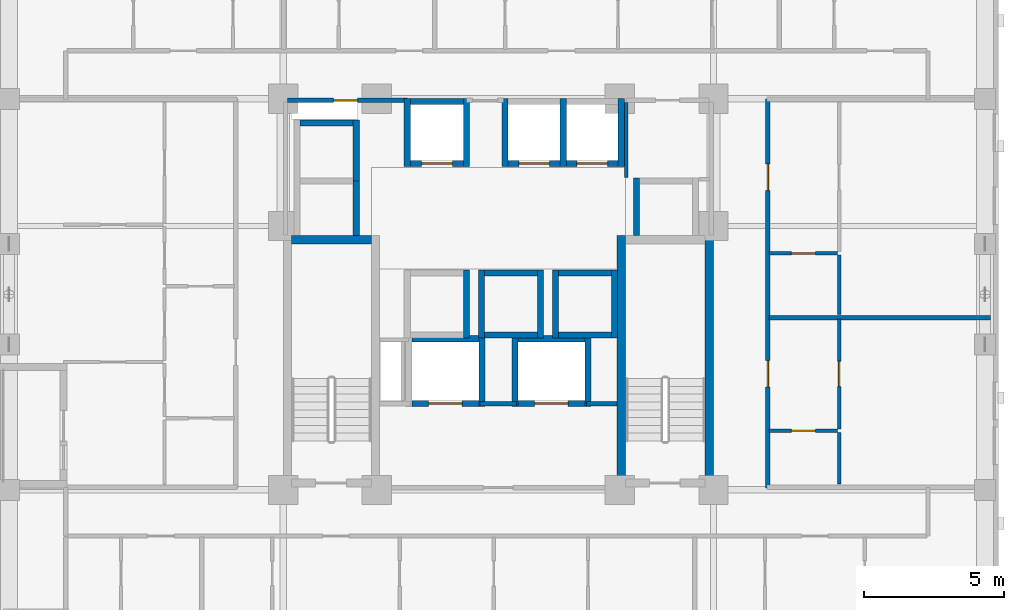
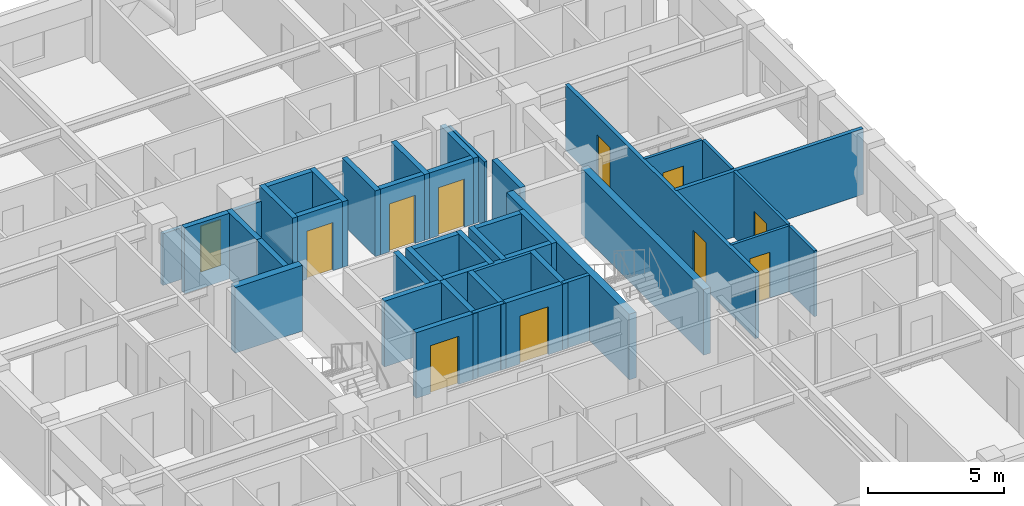
# One storey, part 5 of 12: 43 walls, 11 doors, 11 openings.
"""IFC4 building model written with IfcOpenShell, lengths in metres."""

from ifc_helpers import new_model, si_unit, derived_unit, direction, frame, frame_2d, origin, place, context, subcontext, project, spatial, rectangle, extrude, material, layer, layer_set, type_object, element, fill, save


model = new_model("IFC4")

# Units and contexts
model_context = context("Model", 3, precision=1e-05, world=origin(), true_north=direction((0.0, 1.0)))
body_context = subcontext(model_context, "Body", "Model", "MODEL_VIEW")
ifc_project = project(units=[si_unit("LENGTHUNIT", "METRE"), si_unit("AREAUNIT", "SQUARE_METRE"), si_unit("VOLUMEUNIT", "CUBIC_METRE"), si_unit("PLANEANGLEUNIT", "RADIAN"), si_unit("MASSUNIT", "GRAM", prefix="KILO"), derived_unit("THERMALTRANSMITTANCEUNIT", [(si_unit("MASSUNIT", "GRAM", prefix="KILO"), 1), (si_unit("TIMEUNIT", "SECOND"), -3), (si_unit("THERMODYNAMICTEMPERATUREUNIT", "KELVIN"), -1)])], contexts=[model_context])

# Site, building, storey
site_placement = place(None, origin())
site = spatial("IfcSite", under=ifc_project, at=site_placement, CompositionType="ELEMENT")
building_placement = place(site_placement, origin())
building = spatial("IfcBuilding", under=site, at=building_placement, Name="Korrvale Station Residences", CompositionType="ELEMENT")
storey_placement = place(building_placement, frame((0.0, 0.0, 107.10009765625)))
storey = spatial("IfcBuildingStorey", under=building, at=storey_placement, Name="L30", CompositionType="ELEMENT", Elevation=107.10009765625)

# Walls
ifc_material_1 = material(Name="Concrete C60/75", Category="concrete")
ifc_layer_1 = layer(ifc_material_1, 0.300048828125, Name="Concrete C60/75")
ifc_layer_set_1 = layer_set([ifc_layer_1], Name="Concrete C60/75")
wall_type_1 = type_object("IfcWallType", Name="WAL-CORE-300-C60", PredefinedType="SHEAR", material=ifc_layer_set_1)
wall_1_placement = place(storey_placement, frame((18.10009765625, 23.949951171875, 0.0), z_axis=(0.0, 0.0, 1.0), x_axis=(1.0, 0.0, 0.0)))
element("IfcWall", 1, at=wall_1_placement, inside=storey, type_object=wall_type_1, Name="L30 ST-1 Core Shear Wall North", PredefinedType="SHEAR", context=body_context, shape_type="SweptSolid", body=[
    extrude(rectangle(XDim=2.849853515625, YDim=0.300048828125, at=frame_2d((1.4248046875, 0.0))), origin(), (0.0, 0.0, 1.0), 2.93994140625),
])
for number, where, z_axis, x_axis, name in (
    (2, (29.89990234375, 15.10009765625, 0.0), (0.0, 0.0, 1.0), (0.0, 1.0, 0.0), "L30 ST-2 Core Shear Wall West"),
    (3, (33.050048828125, 15.10009765625, 0.0), (0.0, 0.0, 1.0), (0.0, 1.0, 0.0), "L30 ST-2 Core Shear Wall East"),
):
    element("IfcWall", number, at=place(storey_placement, frame(where, z_axis=z_axis, x_axis=x_axis)), inside=storey, type_object=wall_type_1, Name=name, PredefinedType="SHEAR", context=body_context, shape_type="SweptSolid", body=[
        extrude(rectangle(XDim=9.0, YDim=0.300048828125, at=frame_2d((4.5, 0.0))), origin(), (0.0, 0.0, 1.0), 2.93994140625),
    ])
ifc_material_2 = material(Name="Acoustic steel-stud gypsum board partition", Category="steel")
ifc_layer_2 = layer(ifc_material_2, 0.1201171875, Name="Acoustic steel-stud gypsum board partition")
ifc_layer_set_2 = layer_set([ifc_layer_2], Name="Acoustic steel-stud gypsum board partition")
wall_type_2 = type_object("IfcWallType", Name="WAL-PART-125", PredefinedType="PARTITIONING", material=ifc_layer_set_2)
wall_2_placement = place(storey_placement, frame((30.080078125, 26.179931640625, 0.0), z_axis=(0.0, 0.0, 1.0), x_axis=(0.0, 1.0, 0.0)))
element("IfcWall", 4, at=wall_2_placement, inside=storey, type_object=wall_type_2, Name="L30 Core Partition CW-CS-W", PredefinedType="PARTITIONING", context=body_context, shape_type="SweptSolid", body=[
    extrude(rectangle(XDim=2.68017578125, YDim=0.1201171875, at=frame_2d((1.340087890625, 0.0))), origin(), (0.0, 0.0, 1.0), 2.93994140625),
])

# Wall, opening, door
wall_3_placement = place(storey_placement, frame((35.18994140625, 17.1201171875, 0.0), z_axis=(0.0, 0.0, 1.0), x_axis=(1.0, 0.0, 0.0)))
wall_3 = element("IfcWall", 5, at=wall_3_placement, inside=storey, type_object=wall_type_2, Name="L30 Suite Partition U09-H01", PredefinedType="PARTITIONING", context=body_context, shape_type="SweptSolid", body=[
    extrude(rectangle(XDim=2.449951171875, YDim=0.1201171875, at=frame_2d((1.22509765625, 0.0))), origin(), (0.0, 0.0, 1.0), 2.93994140625),
])
opening_1_placement = place(wall_3_placement, frame((0.794921875, 0.0, 0.0)))
opening_1 = element("IfcOpeningElement", 6, at=opening_1_placement, cuts=wall_3, Name="Opening DB-860", PredefinedType="OPENING", context=body_context, shape_type="SweptSolid", body=[
    extrude(rectangle(XDim=0.860107421875, YDim=2.050048828125, at=frame_2d((0.43017578125, 1.02490234375))), frame((0.0, 0.070068359375, 0.0), z_axis=(0.0, -1.0, 0.0), x_axis=(1.0, 0.0, 0.0)), (0.0, 0.0, 1.0), 0.14013671875),
])
ifc_material_3 = material(Name="Moisture-resistant solid-core bathroom door", Category="timber")
door_type_1 = type_object("IfcDoorType", Name="DR-BATH-860", OperationType="NOTDEFINED", PredefinedType="DOOR", material=ifc_material_3)
door_1_placement = place(opening_1_placement, origin())
door_1 = element("IfcDoor", 7, at=door_1_placement, inside=storey, type_object=door_type_1, Name="L30 Apartment 1BR L30-U09 Bathroom Door", OperationType="SINGLE_SWING_RIGHT", OverallHeight=2.050048828125, OverallWidth=0.860107421875, PredefinedType="DOOR", context=body_context, shape_type="SweptSolid", body=[
    extrude(rectangle(XDim=0.860107421875, YDim=2.050048828125, at=frame_2d((0.43017578125, 1.02490234375))), frame((0.0, 0.02490234375, 0.0), z_axis=(0.0, -1.0, 0.0), x_axis=(1.0, 0.0, 0.0)), (0.0, 0.0, 1.0), 0.050048828125),
])
fill(opening_1, door_1)

# Wall
wall_4_placement = place(storey_placement, frame((37.699951171875, 15.2099609375, 0.0), z_axis=(0.0, 0.0, 1.0), x_axis=(0.0, 1.0, 0.0)))
element("IfcWall", 8, at=wall_4_placement, inside=storey, type_object=wall_type_2, Name="L30 Suite Partition U09-V02", PredefinedType="PARTITIONING", context=body_context, shape_type="SweptSolid", body=[
    extrude(rectangle(XDim=1.85009765625, YDim=0.1201171875, at=frame_2d((0.925048828125, 0.0))), origin(), (0.0, 0.0, 1.0), 2.93994140625),
])

# Wall, opening, door
wall_5_placement = place(storey_placement, frame((37.699951171875, 17.179931640625, 0.0), z_axis=(0.0, 0.0, 1.0), x_axis=(0.0, 1.0, 0.0)))
wall_5 = element("IfcWall", 9, at=wall_5_placement, inside=storey, type_object=wall_type_2, Name="L30 Suite Partition U09-V12", PredefinedType="PARTITIONING", context=body_context, shape_type="SweptSolid", body=[
    extrude(rectangle(XDim=3.946044921875, YDim=0.1201171875, at=frame_2d((1.97314453125, 0.0))), origin(), (0.0, 0.0, 1.0), 2.93994140625),
])
opening_2_placement = place(wall_5_placement, frame((1.52294921875, 0.0, 0.0)))
opening_2 = element("IfcOpeningElement", 10, at=opening_2_placement, cuts=wall_5, Name="Opening DI-900", PredefinedType="OPENING", context=body_context, shape_type="SweptSolid", body=[
    extrude(rectangle(XDim=0.89990234375, YDim=2.050048828125, at=frame_2d((0.449951171875, 1.02490234375))), frame((0.0, 0.070068359375, 0.0), z_axis=(0.0, -1.0, 0.0), x_axis=(1.0, 0.0, 0.0)), (0.0, 0.0, 1.0), 0.14013671875),
])
ifc_material_4 = material(Name="Painted solid-core timber interior room door", Category="wood")
door_type_2 = type_object("IfcDoorType", Name="DR-INT-900", OperationType="NOTDEFINED", PredefinedType="DOOR", material=ifc_material_4)
door_2_placement = place(opening_2_placement, origin())
door_2 = element("IfcDoor", 11, at=door_2_placement, inside=storey, type_object=door_type_2, Name="L30 Apartment 1BR L30-U09 Kitchen Door", OperationType="SINGLE_SWING_LEFT", OverallHeight=2.050048828125, OverallWidth=0.89990234375, PredefinedType="DOOR", context=body_context, shape_type="SweptSolid", body=[
    extrude(rectangle(XDim=0.89990234375, YDim=2.050048828125, at=frame_2d((0.449951171875, 1.02490234375))), frame((0.0, 0.02490234375, 0.0), z_axis=(0.0, -1.0, 0.0), x_axis=(1.0, 0.0, 0.0)), (0.0, 0.0, 1.0), 0.050048828125),
])
fill(opening_2, door_2)

wall_6_placement = place(storey_placement, frame((35.18994140625, 23.467041015625, 0.0), z_axis=(0.0, 0.0, 1.0), x_axis=(1.0, 0.0, 0.0)))
wall_6 = element("IfcWall", 12, at=wall_6_placement, inside=storey, type_object=wall_type_2, Name="L30 Suite Partition U10-H01", PredefinedType="PARTITIONING", context=body_context, shape_type="SweptSolid", body=[
    extrude(rectangle(XDim=2.449951171875, YDim=0.1201171875, at=frame_2d((1.22509765625, 0.0))), origin(), (0.0, 0.0, 1.0), 2.93994140625),
])
opening_3_placement = place(wall_6_placement, frame((0.794921875, 0.0, 0.0)))
opening_3 = element("IfcOpeningElement", 13, at=opening_3_placement, cuts=wall_6, Name="Opening DB-860", PredefinedType="OPENING", context=body_context, shape_type="SweptSolid", body=[
    extrude(rectangle(XDim=0.860107421875, YDim=2.050048828125, at=frame_2d((0.43017578125, 1.02490234375))), frame((0.0, 0.070068359375, 0.0), z_axis=(0.0, -1.0, 0.0), x_axis=(1.0, 0.0, 0.0)), (0.0, 0.0, 1.0), 0.14013671875),
])
door_3_placement = place(opening_3_placement, origin())
door_3 = element("IfcDoor", 14, at=door_3_placement, inside=storey, type_object=door_type_1, Name="L30 Apartment 1BR L30-U10 Bathroom Door", OperationType="SINGLE_SWING_RIGHT", OverallHeight=2.050048828125, OverallWidth=0.860107421875, PredefinedType="DOOR", context=body_context, shape_type="SweptSolid", body=[
    extrude(rectangle(XDim=0.860107421875, YDim=2.050048828125, at=frame_2d((0.43017578125, 1.02490234375))), frame((0.0, 0.02490234375, 0.0), z_axis=(0.0, -1.0, 0.0), x_axis=(1.0, 0.0, 0.0)), (0.0, 0.0, 1.0), 0.050048828125),
])
fill(opening_3, door_3)

# Walls
wall_7_placement = place(storey_placement, frame((37.699951171875, 21.285888671875, 0.0), z_axis=(0.0, 0.0, 1.0), x_axis=(0.0, 1.0, 0.0)))
element("IfcWall", 15, at=wall_7_placement, inside=storey, type_object=wall_type_2, Name="L30 Suite Partition U10-V02", PredefinedType="PARTITIONING", context=body_context, shape_type="SweptSolid", body=[
    extrude(rectangle(XDim=2.12109375, YDim=0.1201171875, at=frame_2d((1.060546875, 0.0))), origin(), (0.0, 0.0, 1.0), 2.93994140625),
])
ifc_material_5 = material(Name="Fire-rated twin-stud gypsum and mineral wool shaftwall assembly", Category="gypsum")
ifc_layer_3 = layer(ifc_material_5, 0.159912109375, Name="Fire-rated twin-stud gypsum and mineral wool shaftwall assembly")
ifc_layer_set_3 = layer_set([ifc_layer_3], Name="Fire-rated twin-stud gypsum and mineral wool shaftwall assembly")
wall_type_3 = type_object("IfcWallType", Name="WAL-PART-200", PredefinedType="PARTITIONING", material=ifc_layer_set_3)
wall_8_placement = place(storey_placement, frame((24.85009765625, 18.080078125, 0.0), z_axis=(0.0, 0.0, 1.0), x_axis=(1.0, 0.0, 0.0)))
element("IfcWall", 16, at=wall_8_placement, inside=storey, type_object=wall_type_3, Name="L30 Core Partition CW-FFL-N2", PredefinedType="PARTITIONING", context=body_context, shape_type="SweptSolid", body=[
    extrude(rectangle(XDim=1.2998046875, YDim=0.159912109375, at=frame_2d((0.64990234375, 0.0))), origin(), (0.0, 0.0, 1.0), 2.93994140625),
])
wall_9_placement = place(storey_placement, frame((28.64990234375, 18.080078125, 0.0), z_axis=(0.0, 0.0, 1.0), x_axis=(1.0, 0.0, 0.0)))
element("IfcWall", 17, at=wall_9_placement, inside=storey, type_object=wall_type_3, Name="L30 Core Partition CW-FFL-N3", PredefinedType="PARTITIONING", context=body_context, shape_type="SweptSolid", body=[
    extrude(rectangle(XDim=1.10009765625, YDim=0.159912109375, at=frame_2d((0.550048828125, 0.0))), origin(), (0.0, 0.0, 1.0), 2.93994140625),
])

# Wall, opening, door
wall_10_placement = place(storey_placement, frame((17.9599609375, 28.949951171875, 0.0), z_axis=(0.0, 0.0, 1.0), x_axis=(1.0, 0.0, 0.0)))
wall_10 = element("IfcWall", 18, at=wall_10_placement, inside=storey, type_object=wall_type_3, Name="L30 Core Partition CW-NW", PredefinedType="PARTITIONING", context=body_context, shape_type="SweptSolid", body=[
    extrude(rectangle(XDim=4.2900390625, YDim=0.159912109375, at=frame_2d((2.14501953125, 0.0))), origin(), (0.0, 0.0, 1.0), 2.31298828125),
])
opening_4_placement = place(wall_10_placement, frame((1.64501953125, 0.0, 0.0)))
opening_4 = element("IfcOpeningElement", 19, at=opening_4_placement, cuts=wall_10, Name="Opening DB-860", PredefinedType="OPENING", context=body_context, shape_type="SweptSolid", body=[
    extrude(rectangle(XDim=0.860107421875, YDim=2.050048828125, at=frame_2d((0.43017578125, 1.02490234375))), frame((0.0, 0.08984375, 0.0), z_axis=(0.0, -1.0, 0.0), x_axis=(1.0, 0.0, 0.0)), (0.0, 0.0, 1.0), 0.179931640625),
])
door_4_placement = place(opening_4_placement, origin())
door_4 = element("IfcDoor", 20, at=door_4_placement, inside=storey, type_object=door_type_1, Name="L30 Electrical Riser Access Door", OperationType="SINGLE_SWING_RIGHT", OverallHeight=2.050048828125, OverallWidth=0.860107421875, PredefinedType="DOOR", context=body_context, shape_type="SweptSolid", body=[
    extrude(rectangle(XDim=0.860107421875, YDim=2.050048828125, at=frame_2d((0.43017578125, 1.02490234375))), frame((0.0, 0.02490234375, 0.0), z_axis=(0.0, -1.0, 0.0), x_axis=(1.0, 0.0, 0.0)), (0.0, 0.0, 1.0), 0.050048828125),
])
fill(opening_4, door_4)

# Wall
wall_11_placement = place(storey_placement, frame((35.18994140625, 21.166015625, 0.0), z_axis=(0.0, 0.0, 1.0), x_axis=(1.0, 0.0, 0.0)))
element("IfcWall", 21, at=wall_11_placement, inside=storey, type_object=wall_type_3, Name="L30 Demising Wall U09-N", PredefinedType="PARTITIONING", context=body_context, shape_type="SweptSolid", body=[
    extrude(rectangle(XDim=7.93017578125, YDim=0.159912109375, at=frame_2d((3.965087890625, 0.0))), origin(), (0.0, 0.0, 1.0), 2.93994140625),
])

# Wall, openings, doors
wall_12_placement = place(storey_placement, frame((35.14990234375, 15.070068359375, 0.0), z_axis=(0.0, 0.0, 1.0), x_axis=(0.0, 1.0, 0.0)))
wall_12 = element("IfcWall", 22, at=wall_12_placement, inside=storey, type_object=wall_type_3, Name="L30 Rated Corridor Wall E", PredefinedType="PARTITIONING", context=body_context, shape_type="SweptSolid", body=[
    extrude(rectangle(XDim=13.929931640625, YDim=0.159912109375, at=frame_2d((6.96484375, 0.0))), origin(), (0.0, 0.0, 1.0), 2.93994140625),
])
opening_5_placement = place(wall_12_placement, frame((3.60791015625, 0.0, 0.0)))
opening_5 = element("IfcOpeningElement", 23, at=opening_5_placement, cuts=wall_12, Name="Opening UD-950", PredefinedType="OPENING", context=body_context, shape_type="SweptSolid", body=[
    extrude(rectangle(XDim=0.949951171875, YDim=2.10009765625, at=frame_2d((0.47509765625, 1.050048828125))), frame((0.0, 0.08984375, 0.0), z_axis=(0.0, -1.0, 0.0), x_axis=(1.0, 0.0, 0.0)), (0.0, 0.0, 1.0), 0.179931640625),
])
opening_6_placement = place(wall_12_placement, frame((10.64892578125, 0.0, 0.0)))
opening_6 = element("IfcOpeningElement", 24, at=opening_6_placement, cuts=wall_12, Name="Opening UD-950", PredefinedType="OPENING", context=body_context, shape_type="SweptSolid", body=[
    extrude(rectangle(XDim=0.949951171875, YDim=2.10009765625, at=frame_2d((0.47509765625, 1.050048828125))), frame((0.0, 0.08984375, 0.0), z_axis=(0.0, -1.0, 0.0), x_axis=(1.0, 0.0, 0.0)), (0.0, 0.0, 1.0), 0.179931640625),
])
ifc_material_6 = material(Name="Solid-core acoustic oak apartment entrance door", Category="timber")
door_type_3 = type_object("IfcDoorType", Name="DR-UNIT-950", OperationType="NOTDEFINED", PredefinedType="DOOR", material=ifc_material_6)
door_5_placement = place(opening_5_placement, origin())
door_5 = element("IfcDoor", 25, at=door_5_placement, inside=storey, type_object=door_type_3, Name="L30 Apartment L30-U09 Entrance Door", OperationType="SINGLE_SWING_RIGHT", OverallHeight=2.10009765625, OverallWidth=0.949951171875, PredefinedType="DOOR", context=body_context, shape_type="SweptSolid", body=[
    extrude(rectangle(XDim=0.949951171875, YDim=2.10009765625, at=frame_2d((0.47509765625, 1.050048828125))), frame((0.0, 0.02490234375, 0.0), z_axis=(0.0, -1.0, 0.0), x_axis=(1.0, 0.0, 0.0)), (0.0, 0.0, 1.0), 0.050048828125),
])
fill(opening_5, door_5)
door_6_placement = place(opening_6_placement, origin())
door_6 = element("IfcDoor", 26, at=door_6_placement, inside=storey, type_object=door_type_3, Name="L30 Apartment L30-U10 Entrance Door", OperationType="SINGLE_SWING_LEFT", OverallHeight=2.10009765625, OverallWidth=0.949951171875, PredefinedType="DOOR", context=body_context, shape_type="SweptSolid", body=[
    extrude(rectangle(XDim=0.949951171875, YDim=2.10009765625, at=frame_2d((0.47509765625, 1.050048828125))), frame((0.0, 0.02490234375, 0.0), z_axis=(0.0, -1.0, 0.0), x_axis=(1.0, 0.0, 0.0)), (0.0, 0.0, 1.0), 0.050048828125),
])
fill(opening_6, door_6)

# Wall, opening, door
ifc_layer_4 = layer(ifc_material_1, 0.219970703125, Name="Concrete C60/75")
ifc_layer_set_4 = layer_set([ifc_layer_4], Name="Concrete C60/75")
wall_type_4 = type_object("IfcWallType", Name="WAL-SHAFT-220-C60", PredefinedType="SHEAR", material=ifc_layer_set_4)
wall_13_placement = place(storey_placement, frame((22.35009765625, 26.68994140625, 0.0), z_axis=(0.0, 0.0, 1.0), x_axis=(1.0, 0.0, 0.0)))
wall_13 = element("IfcWall", 27, at=wall_13_placement, inside=storey, type_object=wall_type_4, Name="L30 Elevator PL-1 Hoistway Wall South", PredefinedType="SHEAR", context=body_context, shape_type="SweptSolid", body=[
    extrude(rectangle(XDim=1.89990234375, YDim=0.219970703125, at=frame_2d((0.949951171875, 0.0))), origin(), (0.0, 0.0, 1.0), 2.93994140625),
])
opening_7_placement = place(wall_13_placement, frame((0.39990234375, 0.0, 0.0)))
opening_7 = element("IfcOpeningElement", 28, at=opening_7_placement, cuts=wall_13, Name="Opening LD-1100", PredefinedType="OPENING", context=body_context, shape_type="SweptSolid", body=[
    extrude(rectangle(XDim=1.10009765625, YDim=2.14990234375, at=frame_2d((0.550048828125, 1.074951171875))), frame((0.0, 0.1201171875, 0.0), z_axis=(0.0, -1.0, 0.0), x_axis=(1.0, 0.0, 0.0)), (0.0, 0.0, 1.0), 0.239990234375),
])
ifc_material_7 = material(Name="Brushed stainless-steel elevator landing sliding door", Category="steel")
door_type_4 = type_object("IfcDoorType", Name="DR-LIFT-1100", OperationType="SLIDING_TO_LEFT", PredefinedType="DOOR", material=ifc_material_7)
door_7_placement = place(opening_7_placement, origin())
door_7 = element("IfcDoor", 29, at=door_7_placement, inside=storey, type_object=door_type_4, Name="L30 Elevator PL-1 Sliding Landing Door", OperationType="SLIDING_TO_LEFT", OverallHeight=2.14990234375, OverallWidth=1.10009765625, PredefinedType="DOOR", context=body_context, shape_type="SweptSolid", body=[
    extrude(rectangle(XDim=1.10009765625, YDim=2.14990234375, at=frame_2d((0.550048828125, 1.074951171875))), frame((0.0, 0.02490234375, 0.0), z_axis=(0.0, -1.0, 0.0), x_axis=(1.0, 0.0, 0.0)), (0.0, 0.0, 1.0), 0.050048828125),
])
fill(opening_7, door_7)

# Walls
wall_14_placement = place(storey_placement, frame((22.35009765625, 28.909912109375, 0.0), z_axis=(0.0, 0.0, 1.0), x_axis=(1.0, 0.0, 0.0)))
element("IfcWall", 30, at=wall_14_placement, inside=storey, type_object=wall_type_4, Name="L30 Elevator PL-1 Hoistway Wall North", PredefinedType="SHEAR", context=body_context, shape_type="SweptSolid", body=[
    extrude(rectangle(XDim=1.89990234375, YDim=0.219970703125, at=frame_2d((0.949951171875, 0.0))), origin(), (0.0, 0.0, 1.0), 2.93994140625),
])
for number, where, z_axis, x_axis, name in (
    (31, (22.239990234375, 26.580078125, 0.0), (0.0, 0.0, 1.0), (0.0, 1.0, 0.0), "L30 Elevator PL-1 Hoistway Wall West"),
    (32, (24.360107421875, 26.580078125, 0.0), (0.0, 0.0, 1.0), (0.0, 1.0, 0.0), "L30 Elevator PL-1 Hoistway Wall East"),
):
    element("IfcWall", number, at=place(storey_placement, frame(where, z_axis=z_axis, x_axis=x_axis)), inside=storey, type_object=wall_type_4, Name=name, PredefinedType="SHEAR", context=body_context, shape_type="SweptSolid", body=[
        extrude(rectangle(XDim=2.43994140625, YDim=0.219970703125, at=frame_2d((1.219970703125, 0.0))), origin(), (0.0, 0.0, 1.0), 2.93994140625),
    ])

# Wall, opening, door
wall_15_placement = place(storey_placement, frame((25.85009765625, 26.68994140625, 0.0), z_axis=(0.0, 0.0, 1.0), x_axis=(1.0, 0.0, 0.0)))
wall_15 = element("IfcWall", 33, at=wall_15_placement, inside=storey, type_object=wall_type_4, Name="L30 Elevator PL-2 Hoistway Wall South", PredefinedType="SHEAR", context=body_context, shape_type="SweptSolid", body=[
    extrude(rectangle(XDim=1.85986328125, YDim=0.219970703125, at=frame_2d((0.929931640625, 0.0))), origin(), (0.0, 0.0, 1.0), 2.93994140625),
])
opening_8_placement = place(wall_15_placement, frame((0.3798828125, 0.0, 0.0)))
opening_8 = element("IfcOpeningElement", 34, at=opening_8_placement, cuts=wall_15, Name="Opening LD-1100", PredefinedType="OPENING", context=body_context, shape_type="SweptSolid", body=[
    extrude(rectangle(XDim=1.10009765625, YDim=2.14990234375, at=frame_2d((0.550048828125, 1.074951171875))), frame((0.0, 0.1201171875, 0.0), z_axis=(0.0, -1.0, 0.0), x_axis=(1.0, 0.0, 0.0)), (0.0, 0.0, 1.0), 0.239990234375),
])
door_8_placement = place(opening_8_placement, origin())
door_8 = element("IfcDoor", 35, at=door_8_placement, inside=storey, type_object=door_type_4, Name="L30 Elevator PL-2 Sliding Landing Door", OperationType="SLIDING_TO_LEFT", OverallHeight=2.14990234375, OverallWidth=1.10009765625, PredefinedType="DOOR", context=body_context, shape_type="SweptSolid", body=[
    extrude(rectangle(XDim=1.10009765625, YDim=2.14990234375, at=frame_2d((0.550048828125, 1.074951171875))), frame((0.0, 0.02490234375, 0.0), z_axis=(0.0, -1.0, 0.0), x_axis=(1.0, 0.0, 0.0)), (0.0, 0.0, 1.0), 0.050048828125),
])
fill(opening_8, door_8)

# Walls
for number, where, z_axis, x_axis, name in (
    (36, (25.739990234375, 26.580078125, 0.0), (0.0, 0.0, 1.0), (0.0, 1.0, 0.0), "L30 Elevator PL-2 Hoistway Wall West"),
    (37, (27.820068359375, 26.580078125, 0.0), (0.0, 0.0, 1.0), (0.0, 1.0, 0.0), "L30 Elevator PL-2 Hoistway Wall East"),
):
    element("IfcWall", number, at=place(storey_placement, frame(where, z_axis=z_axis, x_axis=x_axis)), inside=storey, type_object=wall_type_4, Name=name, PredefinedType="SHEAR", context=body_context, shape_type="SweptSolid", body=[
        extrude(rectangle(XDim=2.43994140625, YDim=0.219970703125, at=frame_2d((1.219970703125, 0.0))), origin(), (0.0, 0.0, 1.0), 2.93994140625),
    ])

# Wall, opening, door
wall_16_placement = place(storey_placement, frame((27.929931640625, 26.68994140625, 0.0), z_axis=(0.0, 0.0, 1.0), x_axis=(1.0, 0.0, 0.0)))
wall_16 = element("IfcWall", 38, at=wall_16_placement, inside=storey, type_object=wall_type_4, Name="L30 Elevator PL-3 Hoistway Wall South", PredefinedType="SHEAR", context=body_context, shape_type="SweptSolid", body=[
    extrude(rectangle(XDim=1.860107421875, YDim=0.219970703125, at=frame_2d((0.93017578125, 0.0))), origin(), (0.0, 0.0, 1.0), 2.93994140625),
])
opening_9_placement = place(wall_16_placement, frame((0.3798828125, 0.0, 0.0)))
opening_9 = element("IfcOpeningElement", 39, at=opening_9_placement, cuts=wall_16, Name="Opening LD-1100", PredefinedType="OPENING", context=body_context, shape_type="SweptSolid", body=[
    extrude(rectangle(XDim=1.10009765625, YDim=2.14990234375, at=frame_2d((0.550048828125, 1.074951171875))), frame((0.0, 0.1201171875, 0.0), z_axis=(0.0, -1.0, 0.0), x_axis=(1.0, 0.0, 0.0)), (0.0, 0.0, 1.0), 0.239990234375),
])
door_9_placement = place(opening_9_placement, origin())
door_9 = element("IfcDoor", 40, at=door_9_placement, inside=storey, type_object=door_type_4, Name="L30 Elevator PL-3 Sliding Landing Door", OperationType="SLIDING_TO_LEFT", OverallHeight=2.14990234375, OverallWidth=1.10009765625, PredefinedType="DOOR", context=body_context, shape_type="SweptSolid", body=[
    extrude(rectangle(XDim=1.10009765625, YDim=2.14990234375, at=frame_2d((0.550048828125, 1.074951171875))), frame((0.0, 0.02490234375, 0.0), z_axis=(0.0, -1.0, 0.0), x_axis=(1.0, 0.0, 0.0)), (0.0, 0.0, 1.0), 0.050048828125),
])
fill(opening_9, door_9)

# Walls
wall_17_placement = place(storey_placement, frame((29.89990234375, 26.580078125, 0.0), z_axis=(0.0, 0.0, 1.0), x_axis=(0.0, 1.0, 0.0)))
element("IfcWall", 41, at=wall_17_placement, inside=storey, type_object=wall_type_4, Name="L30 Elevator PL-3 Hoistway Wall East", PredefinedType="SHEAR", context=body_context, shape_type="SweptSolid", body=[
    extrude(rectangle(XDim=2.43994140625, YDim=0.219970703125, at=frame_2d((1.219970703125, 0.0))), origin(), (0.0, 0.0, 1.0), 2.93994140625),
])
wall_18_placement = place(storey_placement, frame((24.360107421875, 20.429931640625, 0.0), z_axis=(0.0, 0.0, 1.0), x_axis=(0.0, 1.0, 0.0)))
element("IfcWall", 42, at=wall_18_placement, inside=storey, type_object=wall_type_4, Name="L30 Elevator PM-1 Hoistway Wall East", PredefinedType="SHEAR", context=body_context, shape_type="SweptSolid", body=[
    extrude(rectangle(XDim=2.440185546875, YDim=0.219970703125, at=frame_2d((1.22021484375, 0.0))), origin(), (0.0, 0.0, 1.0), 2.93994140625),
])
for number, where, z_axis, x_axis, name in (
    (43, (25.0, 20.5400390625, 0.0), (0.0, 0.0, 1.0), (1.0, 0.0, 0.0), "L30 Elevator PM-2 Hoistway Wall South"),
    (44, (25.0, 22.760009765625, 0.0), (0.0, 0.0, 1.0), (1.0, 0.0, 0.0), "L30 Elevator PM-2 Hoistway Wall North"),
):
    element("IfcWall", number, at=place(storey_placement, frame(where, z_axis=z_axis, x_axis=x_axis)), inside=storey, type_object=wall_type_4, Name=name, PredefinedType="SHEAR", context=body_context, shape_type="SweptSolid", body=[
        extrude(rectangle(XDim=1.89990234375, YDim=0.219970703125, at=frame_2d((0.949951171875, 0.0))), origin(), (0.0, 0.0, 1.0), 2.93994140625),
    ])
for number, where, z_axis, x_axis, name in (
    (45, (24.889892578125, 20.429931640625, 0.0), (0.0, 0.0, 1.0), (0.0, 1.0, 0.0), "L30 Elevator PM-2 Hoistway Wall West"),
    (46, (27.010009765625, 20.429931640625, 0.0), (0.0, 0.0, 1.0), (0.0, 1.0, 0.0), "L30 Elevator PM-2 Hoistway Wall East"),
):
    element("IfcWall", number, at=place(storey_placement, frame(where, z_axis=z_axis, x_axis=x_axis)), inside=storey, type_object=wall_type_4, Name=name, PredefinedType="SHEAR", context=body_context, shape_type="SweptSolid", body=[
        extrude(rectangle(XDim=2.440185546875, YDim=0.219970703125, at=frame_2d((1.22021484375, 0.0))), origin(), (0.0, 0.0, 1.0), 2.93994140625),
    ])
for number, where, z_axis, x_axis, name in (
    (47, (27.64990234375, 20.5400390625, 0.0), (0.0, 0.0, 1.0), (1.0, 0.0, 0.0), "L30 Elevator PM-3 Hoistway Wall South"),
    (48, (27.64990234375, 22.760009765625, 0.0), (0.0, 0.0, 1.0), (1.0, 0.0, 0.0), "L30 Elevator PM-3 Hoistway Wall North"),
):
    element("IfcWall", number, at=place(storey_placement, frame(where, z_axis=z_axis, x_axis=x_axis)), inside=storey, type_object=wall_type_4, Name=name, PredefinedType="SHEAR", context=body_context, shape_type="SweptSolid", body=[
        extrude(rectangle(XDim=1.900146484375, YDim=0.219970703125, at=frame_2d((0.9501953125, 0.0))), origin(), (0.0, 0.0, 1.0), 2.93994140625),
    ])
for number, where, z_axis, x_axis, name in (
    (49, (27.5400390625, 20.429931640625, 0.0), (0.0, 0.0, 1.0), (0.0, 1.0, 0.0), "L30 Elevator PM-3 Hoistway Wall West"),
    (50, (29.659912109375, 20.429931640625, 0.0), (0.0, 0.0, 1.0), (0.0, 1.0, 0.0), "L30 Elevator PM-3 Hoistway Wall East"),
):
    element("IfcWall", number, at=place(storey_placement, frame(where, z_axis=z_axis, x_axis=x_axis)), inside=storey, type_object=wall_type_4, Name=name, PredefinedType="SHEAR", context=body_context, shape_type="SweptSolid", body=[
        extrude(rectangle(XDim=2.440185546875, YDim=0.219970703125, at=frame_2d((1.22021484375, 0.0))), origin(), (0.0, 0.0, 1.0), 2.93994140625),
    ])
wall_19_placement = place(storey_placement, frame((20.409912109375, 24.10009765625, 0.0), z_axis=(0.0, 0.0, 1.0), x_axis=(0.0, 1.0, 0.0)))
element("IfcWall", 51, at=wall_19_placement, inside=storey, type_object=wall_type_4, Name="L30 Elevator PH-1 Hoistway Wall East", PredefinedType="SHEAR", context=body_context, shape_type="SweptSolid", body=[
    extrude(rectangle(XDim=1.9599609375, YDim=0.219970703125, at=frame_2d((0.97998046875, 0.0))), origin(), (0.0, 0.0, 1.0), 2.93994140625),
])
wall_20_placement = place(storey_placement, frame((18.39990234375, 28.1298828125, 0.0), z_axis=(0.0, 0.0, 1.0), x_axis=(1.0, 0.0, 0.0)))
element("IfcWall", 52, at=wall_20_placement, inside=storey, type_object=wall_type_4, Name="L30 Elevator PH-2 Hoistway Wall North", PredefinedType="SHEAR", context=body_context, shape_type="SweptSolid", body=[
    extrude(rectangle(XDim=1.900146484375, YDim=0.219970703125, at=frame_2d((0.9501953125, 0.0))), origin(), (0.0, 0.0, 1.0), 2.93994140625),
])
wall_21_placement = place(storey_placement, frame((20.409912109375, 26.06005859375, 0.0), z_axis=(0.0, 0.0, 1.0), x_axis=(0.0, 1.0, 0.0)))
element("IfcWall", 53, at=wall_21_placement, inside=storey, type_object=wall_type_4, Name="L30 Elevator PH-2 Hoistway Wall East", PredefinedType="SHEAR", context=body_context, shape_type="SweptSolid", body=[
    extrude(rectangle(XDim=2.179931640625, YDim=0.219970703125, at=frame_2d((1.08984375, 0.0))), origin(), (0.0, 0.0, 1.0), 2.93994140625),
])
wall_22_placement = place(storey_placement, frame((30.43994140625, 24.10009765625, 0.0), z_axis=(0.0, 0.0, 1.0), x_axis=(0.0, 1.0, 0.0)))
element("IfcWall", 54, at=wall_22_placement, inside=storey, type_object=wall_type_4, Name="L30 Elevator PH-3 Hoistway Wall West", PredefinedType="SHEAR", context=body_context, shape_type="SweptSolid", body=[
    extrude(rectangle(XDim=2.06982421875, YDim=0.219970703125, at=frame_2d((1.034912109375, 0.0))), origin(), (0.0, 0.0, 1.0), 2.93994140625),
])

# Wall, opening, door
wall_23_placement = place(storey_placement, frame((22.39990234375, 18.090087890625, 0.0), z_axis=(0.0, 0.0, 1.0), x_axis=(1.0, 0.0, 0.0)))
wall_23 = element("IfcWall", 55, at=wall_23_placement, inside=storey, type_object=wall_type_4, Name="L30 Elevator FFL-1 Hoistway Wall South", PredefinedType="SHEAR", context=body_context, shape_type="SweptSolid", body=[
    extrude(rectangle(XDim=2.400146484375, YDim=0.219970703125, at=frame_2d((1.2001953125, 0.0))), origin(), (0.0, 0.0, 1.0), 2.93994140625),
])
opening_10_placement = place(wall_23_placement, frame((0.60009765625, 0.0, 0.0)))
opening_10 = element("IfcOpeningElement", 56, at=opening_10_placement, cuts=wall_23, Name="Opening LD-FF1200", PredefinedType="OPENING", context=body_context, shape_type="SweptSolid", body=[
    extrude(rectangle(XDim=1.199951171875, YDim=2.14990234375, at=frame_2d((0.60009765625, 1.074951171875))), frame((0.0, 0.1201171875, 0.0), z_axis=(0.0, -1.0, 0.0), x_axis=(1.0, 0.0, 0.0)), (0.0, 0.0, 1.0), 0.239990234375),
])
ifc_material_8 = material(Name="Stainless-steel firefighter elevator landing sliding door", Category="steel")
door_type_5 = type_object("IfcDoorType", Name="DR-LIFT-FF1200", OperationType="SLIDING_TO_LEFT", PredefinedType="DOOR", material=ifc_material_8)
door_10_placement = place(opening_10_placement, origin())
door_10 = element("IfcDoor", 57, at=door_10_placement, inside=storey, type_object=door_type_5, Name="L30 Elevator FFL-1 Sliding Landing Door", OperationType="SLIDING_TO_LEFT", OverallHeight=2.14990234375, OverallWidth=1.199951171875, PredefinedType="DOOR", context=body_context, shape_type="SweptSolid", body=[
    extrude(rectangle(XDim=1.199951171875, YDim=2.14990234375, at=frame_2d((0.60009765625, 1.074951171875))), frame((0.0, 0.02490234375, 0.0), z_axis=(0.0, -1.0, 0.0), x_axis=(1.0, 0.0, 0.0)), (0.0, 0.0, 1.0), 0.050048828125),
])
fill(opening_10, door_10)

# Walls
wall_24_placement = place(storey_placement, frame((22.39990234375, 20.409912109375, 0.0), z_axis=(0.0, 0.0, 1.0), x_axis=(1.0, 0.0, 0.0)))
element("IfcWall", 58, at=wall_24_placement, inside=storey, type_object=wall_type_4, Name="L30 Elevator FFL-1 Hoistway Wall North", PredefinedType="SHEAR", context=body_context, shape_type="SweptSolid", body=[
    extrude(rectangle(XDim=2.400146484375, YDim=0.219970703125, at=frame_2d((1.2001953125, 0.0))), origin(), (0.0, 0.0, 1.0), 2.93994140625),
])
wall_25_placement = place(storey_placement, frame((24.909912109375, 17.97998046875, 0.0), z_axis=(0.0, 0.0, 1.0), x_axis=(0.0, 1.0, 0.0)))
element("IfcWall", 59, at=wall_25_placement, inside=storey, type_object=wall_type_4, Name="L30 Elevator FFL-1 Hoistway Wall East", PredefinedType="SHEAR", context=body_context, shape_type="SweptSolid", body=[
    extrude(rectangle(XDim=2.5400390625, YDim=0.219970703125, at=frame_2d((1.27001953125, 0.0))), origin(), (0.0, 0.0, 1.0), 2.93994140625),
])

# Wall, opening, door
wall_26_placement = place(storey_placement, frame((26.199951171875, 18.090087890625, 0.0), z_axis=(0.0, 0.0, 1.0), x_axis=(1.0, 0.0, 0.0)))
wall_26 = element("IfcWall", 60, at=wall_26_placement, inside=storey, type_object=wall_type_4, Name="L30 Elevator FFL-2 Hoistway Wall South", PredefinedType="SHEAR", context=body_context, shape_type="SweptSolid", body=[
    extrude(rectangle(XDim=2.400146484375, YDim=0.219970703125, at=frame_2d((1.2001953125, 0.0))), origin(), (0.0, 0.0, 1.0), 2.93994140625),
])
opening_11_placement = place(wall_26_placement, frame((0.60009765625, 0.0, 0.0)))
opening_11 = element("IfcOpeningElement", 61, at=opening_11_placement, cuts=wall_26, Name="Opening LD-FF1200", PredefinedType="OPENING", context=body_context, shape_type="SweptSolid", body=[
    extrude(rectangle(XDim=1.199951171875, YDim=2.14990234375, at=frame_2d((0.60009765625, 1.074951171875))), frame((0.0, 0.1201171875, 0.0), z_axis=(0.0, -1.0, 0.0), x_axis=(1.0, 0.0, 0.0)), (0.0, 0.0, 1.0), 0.239990234375),
])
door_11_placement = place(opening_11_placement, origin())
door_11 = element("IfcDoor", 62, at=door_11_placement, inside=storey, type_object=door_type_5, Name="L30 Elevator FFL-2 Sliding Landing Door", OperationType="SLIDING_TO_LEFT", OverallHeight=2.14990234375, OverallWidth=1.199951171875, PredefinedType="DOOR", context=body_context, shape_type="SweptSolid", body=[
    extrude(rectangle(XDim=1.199951171875, YDim=2.14990234375, at=frame_2d((0.60009765625, 1.074951171875))), frame((0.0, 0.02490234375, 0.0), z_axis=(0.0, -1.0, 0.0), x_axis=(1.0, 0.0, 0.0)), (0.0, 0.0, 1.0), 0.050048828125),
])
fill(opening_11, door_11)

# Walls
wall_27_placement = place(storey_placement, frame((26.199951171875, 20.409912109375, 0.0), z_axis=(0.0, 0.0, 1.0), x_axis=(1.0, 0.0, 0.0)))
element("IfcWall", 63, at=wall_27_placement, inside=storey, type_object=wall_type_4, Name="L30 Elevator FFL-2 Hoistway Wall North", PredefinedType="SHEAR", context=body_context, shape_type="SweptSolid", body=[
    extrude(rectangle(XDim=2.400146484375, YDim=0.219970703125, at=frame_2d((1.2001953125, 0.0))), origin(), (0.0, 0.0, 1.0), 2.93994140625),
])
for number, where, z_axis, x_axis, name in (
    (64, (26.090087890625, 17.97998046875, 0.0), (0.0, 0.0, 1.0), (0.0, 1.0, 0.0), "L30 Elevator FFL-2 Hoistway Wall West"),
    (65, (28.7099609375, 17.97998046875, 0.0), (0.0, 0.0, 1.0), (0.0, 1.0, 0.0), "L30 Elevator FFL-2 Hoistway Wall East"),
):
    element("IfcWall", number, at=place(storey_placement, frame(where, z_axis=z_axis, x_axis=x_axis)), inside=storey, type_object=wall_type_4, Name=name, PredefinedType="SHEAR", context=body_context, shape_type="SweptSolid", body=[
        extrude(rectangle(XDim=2.5400390625, YDim=0.219970703125, at=frame_2d((1.27001953125, 0.0))), origin(), (0.0, 0.0, 1.0), 2.93994140625),
    ])

save(model, "model.ifc")
